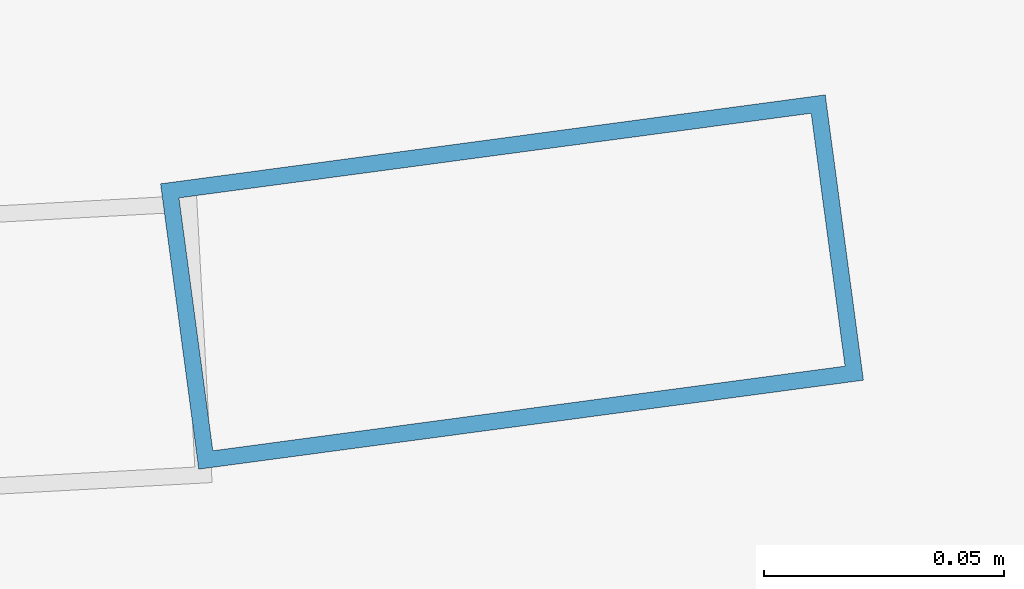
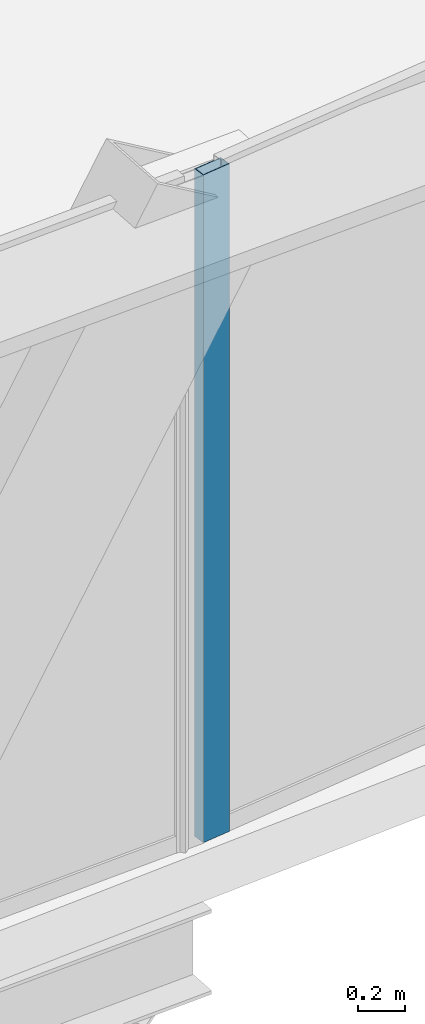
# One storey, part 14 of 37: 1 member, 1 element without a shape of its own.
"""IFC4 building model written with IfcOpenShell, lengths in metres."""

from ifc_helpers import new_model, si_unit, direction, frame, origin, origin_2d, place, context, subcontext, project, spatial, hollow_rectangle, extrude, source, transform, mapped, material, layer, layer_set, material_profile, profile_set, type_object, element, aggregate, save


model = new_model("IFC4")

# Units and contexts
model_context = context("Model", 3, precision=1e-05, world=origin(), true_north=direction((0.0, 1.0)))
body_context = subcontext(model_context, "Body", "Model", "MODEL_VIEW")
ifc_project = project(units=[si_unit("LENGTHUNIT", "METRE"), si_unit("AREAUNIT", "SQUARE_METRE"), si_unit("VOLUMEUNIT", "CUBIC_METRE"), si_unit("PLANEANGLEUNIT", "RADIAN"), si_unit("MASSUNIT", "GRAM", prefix="KILO"), si_unit("THERMODYNAMICTEMPERATUREUNIT", "KELVIN"), si_unit("POWERUNIT", "WATT")], contexts=[model_context])

# Site, building, storey
site_placement = place(None, origin())
site = spatial("IfcSite", under=ifc_project, at=site_placement, CompositionType="ELEMENT")
building_placement = place(site_placement, origin())
building = spatial("IfcBuilding", under=site, at=building_placement, Name="Yunzhuo Pagoda Commons", CompositionType="ELEMENT")
storey_placement = place(building_placement, frame((0.0, 0.0, 251.989990234375)))
storey = spatial("IfcBuildingStorey", under=building, at=storey_placement, Name="L63", CompositionType="ELEMENT", Elevation=251.989990234375)

# Curtain wall, member
ifc_material = material(Name="Anodized aluminium 6063-T6", Category="aluminium")
ifc_layer = layer(ifc_material, 0.139892578125)
ifc_layer_set = layer_set([ifc_layer], Name="Anodized aluminium 6063-T6")
curtain_wall_type = type_object("IfcCurtainWallType", Name="CW-HI High-Zone Ribbon Curtain Wall", PredefinedType="NOTDEFINED", material=ifc_layer_set)
curtain_wall_placement = place(storey_placement, origin())
curtain_wall = element("IfcCurtainWall", 1, at=curtain_wall_placement, inside=storey, type_object=curtain_wall_type, Name="L63 curtain wall CW-L63-F1B5", PredefinedType="NOTDEFINED")
ifc_material_profile = material_profile(ifc_material, hollow_rectangle(XDim=0.06005859375, YDim=0.139892578125, WallThickness=0.00341796875, at=origin_2d()), Name="Anodized aluminium 6063-T6")
ifc_profile_set = profile_set([ifc_material_profile], Name="Anodized aluminium 6063-T6")
member_type = type_object("IfcMemberType", Name="CW-HI-M Mullion RHS 140x60x3.5", PredefinedType="MULLION", material=ifc_profile_set)
shared_shape = source(origin(), body_context, "Body", "SweptSolid", [
    extrude(hollow_rectangle(XDim=0.06005859375, YDim=0.139892578125, WallThickness=0.00341796875, at=origin_2d()), origin(), (0.0, 0.0, 1.0), 3.469970703125),
])
member_placement = place(storey_placement, frame((61.699462890625, 17.511474609375, 0.0), z_axis=(0.0, 0.0, 1.0), x_axis=(-0.132663916926, 0.991161079314, 0.0)))
member = element("IfcMember", 2, at=member_placement, type_object=member_type, Name="CW mullion 1", PredefinedType="MULLION", context=body_context, shape_type="MappedRepresentation", body=[
    mapped(shared_shape, transform((0.0, 0.0, 0.0), scale=1.0)),
])
aggregate(curtain_wall, [member])

save(model, "model.ifc")
